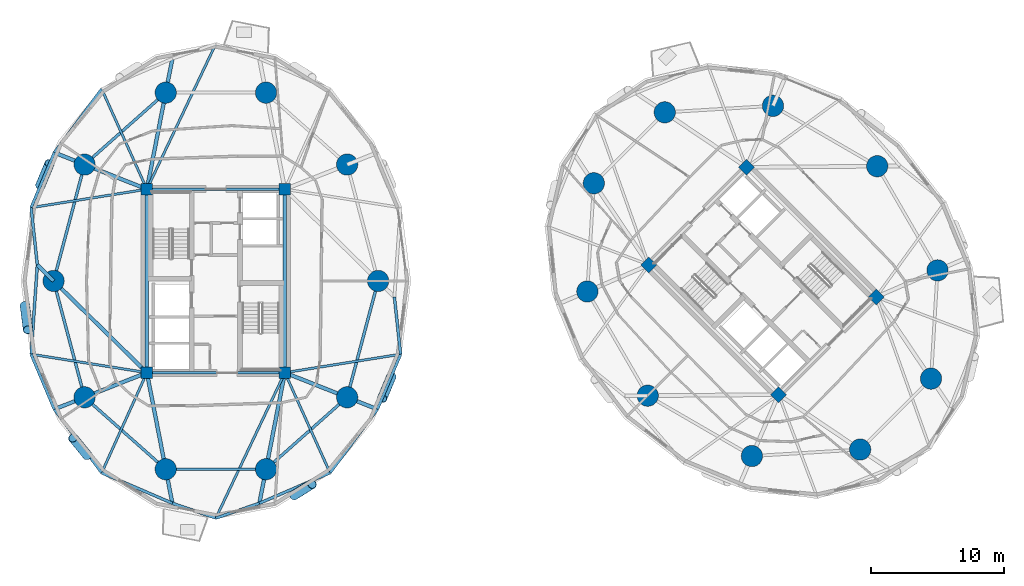
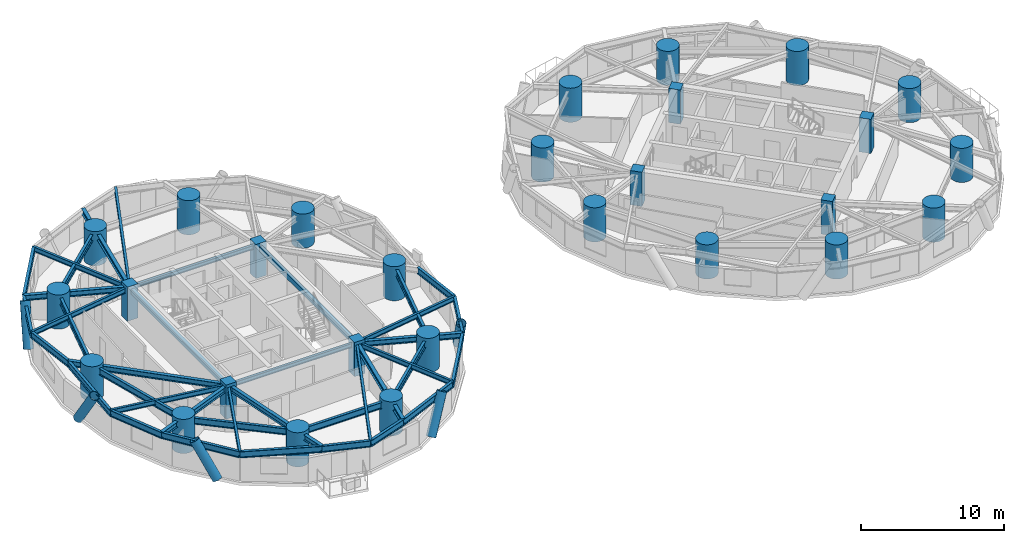
# One storey, part 1 of 15: 40 beams, 28 columns, 5 members.
"""IFC4 building model written with IfcOpenShell, lengths in metres."""

from ifc_helpers import new_model, si_unit, direction, frame, origin, origin_2d, place, context, subcontext, project, spatial, rectangle, hollow_rectangle, circle, hollow_circle, i_section, extrude, material, material_profile, profile_set, type_object, element, save


model = new_model("IFC4")

# Units and contexts
model_context = context("Model", 3, precision=1e-05, world=origin(), true_north=direction((0.0, 1.0)))
body_context = subcontext(model_context, "Body", "Model", "MODEL_VIEW")
ifc_project = project(units=[si_unit("LENGTHUNIT", "METRE"), si_unit("AREAUNIT", "SQUARE_METRE"), si_unit("VOLUMEUNIT", "CUBIC_METRE"), si_unit("PLANEANGLEUNIT", "RADIAN"), si_unit("MASSUNIT", "GRAM", prefix="KILO")], contexts=[model_context])

# Site, building, storey
site_placement = place(None, origin())
site = spatial("IfcSite", under=ifc_project, at=site_placement, CompositionType="ELEMENT")
building_placement = place(site_placement, origin())
building = spatial("IfcBuilding", under=site, at=building_placement, Name="Cununo Teusaquillo Station Towers", CompositionType="ELEMENT")
storey_placement = place(building_placement, frame((0.0, 0.0, 24.909912109375)))
storey = spatial("IfcBuildingStorey", under=building, at=storey_placement, Name="L06", CompositionType="ELEMENT", Elevation=24.909912109375)

# Columns
ifc_material_1 = material(Name="Concrete C50/60", Category="concrete")
ifc_material_profile_1 = material_profile(ifc_material_1, rectangle(XDim=0.85009765625, YDim=0.85009765625, at=origin_2d()), Name="RC-RECT-850x850")
ifc_profile_set_1 = profile_set([ifc_material_profile_1], Name="Concrete C50/60")
column_type_1 = type_object("IfcColumnType", Name="COL-CORE-Z1", PredefinedType="COLUMN", material=ifc_profile_set_1)
for number, where, z_axis, x_axis, name in (
    (1, (11.324951171875, 17.6201171875, 0.0), (0.0, 0.0, 1.0), (1.0, 0.0, 0.0), "L06 Tower A Core Column 1"),
    (2, (11.324951171875, 31.3798828125, 0.0), (0.0, 0.0, 1.0), (1.0, 0.0, 0.0), "L06 Tower A Core Column 2"),
    (3, (21.675048828125, 17.6201171875, 0.0), (0.0, 0.0, 1.0), (1.0, 0.0, 0.0), "L06 Tower A Core Column 3"),
    (4, (21.675048828125, 31.3798828125, 0.0), (0.0, 0.0, 1.0), (1.0, 0.0, 0.0), "L06 Tower A Core Column 4"),
    (5, (58.70556640625, 15.975830078125, 0.0), (0.0, 0.0, 1.0), (0.707106781187, 0.707106781187, 0.0), "L06 Tower B Core Column 1"),
    (6, (48.975830078125, 25.70556640625, 0.0), (0.0, 0.0, 1.0), (0.707106781187, 0.707106781187, 0.0), "L06 Tower B Core Column 2"),
    (7, (66.024169921875, 23.29443359375, 0.0), (0.0, 0.0, 1.0), (0.707106781187, 0.707106781187, 0.0), "L06 Tower B Core Column 3"),
    (8, (56.29443359375, 33.024169921875, 0.0), (0.0, 0.0, 1.0), (0.707106781187, 0.707106781187, 0.0), "L06 Tower B Core Column 4"),
):
    element("IfcColumn", number, at=place(storey_placement, frame(where, z_axis=z_axis, x_axis=x_axis)), inside=storey, type_object=column_type_1, Name=name, PredefinedType="COLUMN", context=body_context, shape_type="SweptSolid", body=[
        extrude(rectangle(XDim=0.85009765625, YDim=0.85009765625, at=origin_2d()), origin(), (0.0, 0.0, 1.0), 2.91015625),
    ])
ifc_material_2 = material(Name="Concrete C60/75", Category="concrete")
ifc_material_profile_2 = material_profile(ifc_material_2, circle(Radius=0.800048828125, at=origin_2d()), Name="RC-CIRC-1600")
ifc_profile_set_2 = profile_set([ifc_material_profile_2], Name="Concrete C60/75")
column_type_2 = type_object("IfcColumnType", Name="COL-MEGA-Z1", PredefinedType="USERDEFINED", material=ifc_profile_set_2)
for number, where, z_axis, x_axis, name in (
    (9, (28.672119140625, 24.5, 0.0), (0.0, 0.0, 1.0), (1.0, 0.0, 0.0), "L06 Tower A Perimeter Column V00"),
    (10, (26.347412109375, 33.228515625, 0.0), (0.0, 0.0, 1.0), (1.0, 0.0, 0.0), "L06 Tower A Perimeter Column V02"),
    (11, (20.261474609375, 38.623291015625, 0.0), (0.0, 0.0, 1.0), (1.0, 0.0, 0.0), "L06 Tower A Perimeter Column V04"),
    (12, (12.738525390625, 38.623291015625, 0.0), (0.0, 0.0, 1.0), (1.0, 0.0, 0.0), "L06 Tower A Perimeter Column V06"),
    (13, (6.652587890625, 33.228515625, 0.0), (0.0, 0.0, 1.0), (1.0, 0.0, 0.0), "L06 Tower A Perimeter Column V08"),
    (14, (4.327880859375, 24.5, 0.0), (0.0, 0.0, 1.0), (1.0, 0.0, 0.0), "L06 Tower A Perimeter Column V10"),
    (15, (6.652587890625, 15.771484375, 0.0), (0.0, 0.0, 1.0), (1.0, 0.0, 0.0), "L06 Tower A Perimeter Column V12"),
    (16, (12.738525390625, 10.376708984375, 0.0), (0.0, 0.0, 1.0), (1.0, 0.0, 0.0), "L06 Tower A Perimeter Column V14"),
    (17, (20.261474609375, 10.376708984375, 0.0), (0.0, 0.0, 1.0), (1.0, 0.0, 0.0), "L06 Tower A Perimeter Column V16"),
    (18, (26.347412109375, 15.771484375, 0.0), (0.0, 0.0, 1.0), (1.0, 0.0, 0.0), "L06 Tower A Perimeter Column V18"),
    (19, (66.10693359375, 33.10693359375, 0.0), (0.0, 0.0, 1.0), (1.0, 0.0, 0.0), "L06 Tower B Perimeter Column V00"),
    (20, (58.291015625, 37.63525390625, 0.0), (0.0, 0.0, 1.0), (1.0, 0.0, 0.0), "L06 Tower B Perimeter Column V02"),
    (21, (50.173095703125, 37.146240234375, 0.0), (0.0, 0.0, 1.0), (1.0, 0.0, 0.0), "L06 Tower B Perimeter Column V04"),
    (22, (44.853759765625, 31.826904296875, 0.0), (0.0, 0.0, 1.0), (1.0, 0.0, 0.0), "L06 Tower B Perimeter Column V06"),
    (23, (44.36474609375, 23.708984375, 0.0), (0.0, 0.0, 1.0), (1.0, 0.0, 0.0), "L06 Tower B Perimeter Column V08"),
    (24, (48.89306640625, 15.89306640625, 0.0), (0.0, 0.0, 1.0), (1.0, 0.0, 0.0), "L06 Tower B Perimeter Column V10"),
    (25, (56.708984375, 11.36474609375, 0.0), (0.0, 0.0, 1.0), (1.0, 0.0, 0.0), "L06 Tower B Perimeter Column V12"),
    (26, (64.826904296875, 11.853759765625, 0.0), (0.0, 0.0, 1.0), (1.0, 0.0, 0.0), "L06 Tower B Perimeter Column V14"),
    (27, (70.146240234375, 17.173095703125, 0.0), (0.0, 0.0, 1.0), (1.0, 0.0, 0.0), "L06 Tower B Perimeter Column V16"),
    (28, (70.63525390625, 25.291015625, 0.0), (0.0, 0.0, 1.0), (1.0, 0.0, 0.0), "L06 Tower B Perimeter Column V18"),
):
    element("IfcColumn", number, at=place(storey_placement, frame(where, z_axis=z_axis, x_axis=x_axis)), inside=storey, type_object=column_type_2, Name=name, ObjectType="MEGA COLUMN", PredefinedType="USERDEFINED", context=body_context, shape_type="SweptSolid", body=[
        extrude(circle(Radius=0.800048828125, at=origin_2d()), origin(), (0.0, 0.0, 1.0), 2.91015625),
    ])

# Beams
ifc_material_3 = material(Name="Steel EN 10025-2 S355J2", Category="steel")
ifc_material_profile_3 = material_profile(ifc_material_3, hollow_rectangle(XDim=0.25, YDim=0.449951171875, WallThickness=0.01611328125, at=origin_2d()), Name="RHS 450x250x16")
ifc_profile_set_3 = profile_set([ifc_material_profile_3], Name="Steel EN 10025-2 S355J2")
beam_type_1 = type_object("IfcBeamType", Name="BM-COUP-1", PredefinedType="USERDEFINED", material=ifc_profile_set_3)
for number, where, z_axis, x_axis, name in (
    (29, (11.324951171875, 17.6201171875, 2.425048828125), (0.0, 1.0, 0.0), (-1.0, 0.0, 0.0), "L06 Tower A Core Beam 1"),
    (30, (21.675048828125, 17.6201171875, 2.425048828125), (0.0, 1.0, 0.0), (-1.0, 0.0, 0.0), "L06 Tower A Core Beam 2"),
):
    element("IfcBeam", number, at=place(storey_placement, frame(where, z_axis=z_axis, x_axis=x_axis)), inside=storey, type_object=beam_type_1, Name=name, ObjectType="COUPLING BEAM", PredefinedType="USERDEFINED", context=body_context, shape_type="SweptSolid", body=[
        extrude(hollow_rectangle(XDim=0.25, YDim=0.449951171875, WallThickness=0.01611328125, at=origin_2d()), origin(), (0.0, 0.0, 1.0), 13.759765625),
    ])
ifc_material_4 = material(Name="Steel ASTM A572 Grade 50", Category="steel")
ifc_material_profile_4 = material_profile(ifc_material_4, i_section(OverallWidth=0.180908203125, OverallDepth=0.4169921875, WebThickness=0.010986328125, FlangeThickness=0.018310546875, FilletRadius=0.012939453125, at=origin_2d()), Name="W16X57")
ifc_profile_set_4 = profile_set([ifc_material_profile_4], Name="Steel ASTM A572 Grade 50")
beam_type_2 = type_object("IfcBeamType", Name="BM-JOIST-1", PredefinedType="JOIST", material=ifc_profile_set_4)
beam_1_placement = place(storey_placement, frame((11.324951171875, 31.3798828125, 2.441650390625), z_axis=(0.428565163203, 0.903510874804, 0.0), x_axis=(-0.903510874804, 0.428565163203, 0.0)))
element("IfcBeam", 31, at=beam_1_placement, inside=storey, type_object=beam_type_2, Name="L06 Tower A Radial Spandrel Joist V05", PredefinedType="JOIST", context=body_context, shape_type="SweptSolid", body=[
    extrude(i_section(OverallWidth=0.180908203125, OverallDepth=0.4169921875, WebThickness=0.010986328125, FlangeThickness=0.018310546875, FilletRadius=0.012939453125, at=origin_2d()), origin(), (0.0, 0.0, 1.0), 12.0751953125),
])
beam_2_placement = place(storey_placement, frame((11.324951171875, 31.3798828125, 2.441650390625), z_axis=(-0.41127716143, 0.911510338113, 0.0), x_axis=(-0.911510338113, -0.41127716143, 0.0)))
element("IfcBeam", 32, at=beam_2_placement, inside=storey, type_object=beam_type_2, Name="L06 Tower A Radial Spandrel Joist V07", PredefinedType="JOIST", context=body_context, shape_type="SweptSolid", body=[
    extrude(i_section(OverallWidth=0.180908203125, OverallDepth=0.4169921875, WebThickness=0.010986328125, FlangeThickness=0.018310546875, FilletRadius=0.012939453125, at=origin_2d()), origin(), (0.0, 0.0, 1.0), 8.24169921875),
])
for number, where, z_axis, x_axis, name in (
    (33, (11.324951171875, 31.3798828125, 2.441650390625), (-0.987559048351, -0.157248612141, 0.0), (0.157248612141, -0.987559048351, 0.0), "L06 Tower A Radial Spandrel Joist V09"),
    (34, (11.324951171875, 17.6201171875, 2.441650390625), (-0.987559048351, 0.157248612141, 0.0), (-0.157248612141, -0.987559048351, 0.0), "L06 Tower A Radial Spandrel Joist V11"),
):
    element("IfcBeam", number, at=place(storey_placement, frame(where, z_axis=z_axis, x_axis=x_axis)), inside=storey, type_object=beam_type_2, Name=name, PredefinedType="JOIST", context=body_context, shape_type="SweptSolid", body=[
        extrude(i_section(OverallWidth=0.180908203125, OverallDepth=0.4169921875, WebThickness=0.010986328125, FlangeThickness=0.018310546875, FilletRadius=0.012939453125, at=origin_2d()), origin(), (0.0, 0.0, 1.0), 8.792236328125),
    ])
beam_3_placement = place(storey_placement, frame((11.324951171875, 17.6201171875, 2.441650390625), z_axis=(-0.41127716143, -0.911510338113, 0.0), x_axis=(0.911510338113, -0.41127716143, 0.0)))
element("IfcBeam", 35, at=beam_3_placement, inside=storey, type_object=beam_type_2, Name="L06 Tower A Radial Spandrel Joist V13", PredefinedType="JOIST", context=body_context, shape_type="SweptSolid", body=[
    extrude(i_section(OverallWidth=0.180908203125, OverallDepth=0.4169921875, WebThickness=0.010986328125, FlangeThickness=0.018310546875, FilletRadius=0.012939453125, at=origin_2d()), origin(), (0.0, 0.0, 1.0), 8.24169921875),
])
beam_4_placement = place(storey_placement, frame((21.675048828125, 17.6201171875, 2.441650390625), z_axis=(-0.428565163203, -0.903510874804, 0.0), x_axis=(0.903510874804, -0.428565163203, 0.0)))
element("IfcBeam", 36, at=beam_4_placement, inside=storey, type_object=beam_type_2, Name="L06 Tower A Radial Spandrel Joist V15", PredefinedType="JOIST", context=body_context, shape_type="SweptSolid", body=[
    extrude(i_section(OverallWidth=0.180908203125, OverallDepth=0.4169921875, WebThickness=0.010986328125, FlangeThickness=0.018310546875, FilletRadius=0.012939453125, at=origin_2d()), origin(), (0.0, 0.0, 1.0), 12.0751953125),
])
beam_5_placement = place(storey_placement, frame((21.675048828125, 17.6201171875, 2.441650390625), z_axis=(0.41127716143, -0.911510338113, 0.0), x_axis=(0.911510338113, 0.41127716143, 0.0)))
element("IfcBeam", 37, at=beam_5_placement, inside=storey, type_object=beam_type_2, Name="L06 Tower A Radial Spandrel Joist V17", PredefinedType="JOIST", context=body_context, shape_type="SweptSolid", body=[
    extrude(i_section(OverallWidth=0.180908203125, OverallDepth=0.4169921875, WebThickness=0.010986328125, FlangeThickness=0.018310546875, FilletRadius=0.012939453125, at=origin_2d()), origin(), (0.0, 0.0, 1.0), 8.24169921875),
])
beam_6_placement = place(storey_placement, frame((21.675048828125, 17.6201171875, 2.441650390625), z_axis=(0.987559048351, 0.157248612141, 0.0), x_axis=(-0.157248612141, 0.987559048351, 0.0)))
element("IfcBeam", 38, at=beam_6_placement, inside=storey, type_object=beam_type_2, Name="L06 Tower A Radial Spandrel Joist V19", PredefinedType="JOIST", context=body_context, shape_type="SweptSolid", body=[
    extrude(i_section(OverallWidth=0.180908203125, OverallDepth=0.4169921875, WebThickness=0.010986328125, FlangeThickness=0.018310546875, FilletRadius=0.012939453125, at=origin_2d()), origin(), (0.0, 0.0, 1.0), 8.792236328125),
])
ifc_material_5 = material(Name="Steel ASTM A572 Grade 50", Category="steel")
ifc_material_profile_5 = material_profile(ifc_material_5, i_section(OverallWidth=0.2041015625, OverallDepth=0.35009765625, WebThickness=0.008544921875, FlangeThickness=0.01513671875, FilletRadius=0.011962890625, at=origin_2d()), Name="W14X48")
ifc_profile_set_5 = profile_set([ifc_material_profile_5], Name="Steel ASTM A572 Grade 50")
beam_type_3 = type_object("IfcBeamType", Name="BM-LINTEL-1", PredefinedType="LINTEL", material=ifc_profile_set_5)
for number, where, z_axis, x_axis, name in (
    (39, (11.324951171875, 17.6201171875, 2.47509765625), (1.0, 0.0, 0.0), (0.0, 1.0, 0.0), "L06 Tower A Core Beam 3"),
    (40, (11.324951171875, 31.3798828125, 2.47509765625), (1.0, 0.0, 0.0), (0.0, 1.0, 0.0), "L06 Tower A Core Beam 4"),
):
    element("IfcBeam", number, at=place(storey_placement, frame(where, z_axis=z_axis, x_axis=x_axis)), inside=storey, type_object=beam_type_3, Name=name, PredefinedType="LINTEL", context=body_context, shape_type="SweptSolid", body=[
        extrude(i_section(OverallWidth=0.2041015625, OverallDepth=0.35009765625, WebThickness=0.008544921875, FlangeThickness=0.01513671875, FilletRadius=0.011962890625, at=origin_2d()), origin(), (0.0, 0.0, 1.0), 10.35009765625),
    ])
ifc_material_6 = material(Name="Steel ASTM A572 Grade 50", Category="steel")
ifc_material_profile_6 = material_profile(ifc_material_6, i_section(OverallWidth=0.280029296875, OverallDepth=0.462890625, WebThickness=0.0107421875, FlangeThickness=0.017333984375, FilletRadius=0.013916015625, at=origin_2d()), Name="W18X76")
ifc_profile_set_6 = profile_set([ifc_material_profile_6], Name="Steel ASTM A572 Grade 50")
beam_type_4 = type_object("IfcBeamType", Name="BM-RAD-G1", PredefinedType="BEAM", material=ifc_profile_set_6)
beam_7_placement = place(storey_placement, frame((11.324951171875, 31.3798828125, 2.418701171875), z_axis=(0.191551733899, 0.981482518051, 0.0), x_axis=(-0.981482518051, 0.191551733899, 0.0)))
element("IfcBeam", 41, at=beam_7_placement, inside=storey, type_object=beam_type_4, Name="L06 Tower A Continuous Overhanging Radial Girder 04", PredefinedType="BEAM", context=body_context, shape_type="SweptSolid", body=[
    extrude(i_section(OverallWidth=0.280029296875, OverallDepth=0.462890625, WebThickness=0.0107421875, FlangeThickness=0.017333984375, FilletRadius=0.013916015625, at=origin_2d()), origin(), (0.0, 0.0, 1.0), 9.982177734375),
])
beam_8_placement = place(storey_placement, frame((11.324951171875, 31.3798828125, 2.418701171875), z_axis=(-0.929859530412, 0.367914737, 0.0), x_axis=(-0.367914737, -0.929859530412, 0.0)))
element("IfcBeam", 42, at=beam_8_placement, inside=storey, type_object=beam_type_4, Name="L06 Tower A Continuous Overhanging Radial Girder 05", PredefinedType="BEAM", context=body_context, shape_type="SweptSolid", body=[
    extrude(i_section(OverallWidth=0.280029296875, OverallDepth=0.462890625, WebThickness=0.0107421875, FlangeThickness=0.017333984375, FilletRadius=0.013916015625, at=origin_2d()), origin(), (0.0, 0.0, 1.0), 7.46533203125),
])
beam_9_placement = place(storey_placement, frame((11.324951171875, 17.6201171875, 2.418701171875), z_axis=(-0.713052701438, 0.701110437073, 0.0), x_axis=(-0.701110437073, -0.713052701438, 0.0)))
element("IfcBeam", 43, at=beam_9_placement, inside=storey, type_object=beam_type_4, Name="L06 Tower A Radial Girder 06A", PredefinedType="BEAM", context=body_context, shape_type="SweptSolid", body=[
    extrude(i_section(OverallWidth=0.280029296875, OverallDepth=0.462890625, WebThickness=0.0107421875, FlangeThickness=0.017333984375, FilletRadius=0.013916015625, at=origin_2d()), origin(), (0.0, 0.0, 1.0), 9.812744140625),
])
beam_10_placement = place(storey_placement, frame((4.327880859375, 24.5, 2.418701171875), z_axis=(-0.713076004542, 0.701086736251, 0.0), x_axis=(-0.701086736251, -0.713076004542, 0.0)))
element("IfcBeam", 44, at=beam_10_placement, inside=storey, type_object=beam_type_4, Name="L06 Tower A Perimeter Overhang Girder 06B", PredefinedType="BEAM", context=body_context, shape_type="SweptSolid", body=[
    extrude(i_section(OverallWidth=0.280029296875, OverallDepth=0.462890625, WebThickness=0.0107421875, FlangeThickness=0.017333984375, FilletRadius=0.013916015625, at=origin_2d()), origin(), (0.0, 0.0, 1.0), 1.71044921875),
])
beam_11_placement = place(storey_placement, frame((11.324951171875, 17.6201171875, 2.418701171875), z_axis=(-0.929859530412, -0.367914737, 0.0), x_axis=(0.367914737, -0.929859530412, 0.0)))
element("IfcBeam", 45, at=beam_11_placement, inside=storey, type_object=beam_type_4, Name="L06 Tower A Continuous Overhanging Radial Girder 07", PredefinedType="BEAM", context=body_context, shape_type="SweptSolid", body=[
    extrude(i_section(OverallWidth=0.280029296875, OverallDepth=0.462890625, WebThickness=0.0107421875, FlangeThickness=0.017333984375, FilletRadius=0.013916015625, at=origin_2d()), origin(), (0.0, 0.0, 1.0), 7.46533203125),
])
for number, where, z_axis, x_axis, name in (
    (46, (11.324951171875, 17.6201171875, 2.418701171875), (0.191551733899, -0.981482518051, 0.0), (0.981482518051, 0.191551733899, 0.0), "L06 Tower A Continuous Overhanging Radial Girder 08"),
    (47, (21.675048828125, 17.6201171875, 2.418701171875), (-0.191551733899, -0.981482518051, 0.0), (0.981482518051, -0.191551733899, 0.0), "L06 Tower A Continuous Overhanging Radial Girder 09"),
):
    element("IfcBeam", number, at=place(storey_placement, frame(where, z_axis=z_axis, x_axis=x_axis)), inside=storey, type_object=beam_type_4, Name=name, PredefinedType="BEAM", context=body_context, shape_type="SweptSolid", body=[
        extrude(i_section(OverallWidth=0.280029296875, OverallDepth=0.462890625, WebThickness=0.0107421875, FlangeThickness=0.017333984375, FilletRadius=0.013916015625, at=origin_2d()), origin(), (0.0, 0.0, 1.0), 9.982177734375),
    ])
beam_12_placement = place(storey_placement, frame((21.675048828125, 17.6201171875, 2.418701171875), z_axis=(0.929859530412, -0.367914737, 0.0), x_axis=(0.367914737, 0.929859530412, 0.0)))
element("IfcBeam", 48, at=beam_12_placement, inside=storey, type_object=beam_type_4, Name="L06 Tower A Continuous Overhanging Radial Girder 10", PredefinedType="BEAM", context=body_context, shape_type="SweptSolid", body=[
    extrude(i_section(OverallWidth=0.280029296875, OverallDepth=0.462890625, WebThickness=0.0107421875, FlangeThickness=0.017333984375, FilletRadius=0.013916015625, at=origin_2d()), origin(), (0.0, 0.0, 1.0), 7.46533203125),
])
ifc_material_7 = material(Name="Steel ASTM A572 Grade 50", Category="steel")
ifc_material_profile_7 = material_profile(ifc_material_7, i_section(OverallWidth=0.214111328125, OverallDepth=0.549072265625, WebThickness=0.0146484375, FlangeThickness=0.023681640625, FilletRadius=0.014892578125, at=origin_2d()), Name="W21X93")
ifc_profile_set_7 = profile_set([ifc_material_profile_7], Name="Steel ASTM A572 Grade 50")
beam_type_5 = type_object("IfcBeamType", Name="BM-RING-Z1", PredefinedType="SPANDREL", material=ifc_profile_set_7)
beam_13_placement = place(storey_placement, frame((12.738525390625, 38.623291015625, 2.37548828125), z_axis=(-0.74832120039, -0.66333655187, 0.0), x_axis=(0.66333655187, -0.74832120039, 0.0)))
element("IfcBeam", 49, at=beam_13_placement, inside=storey, type_object=beam_type_5, Name="L06 Tower A Structural Column Ring Girder 04", PredefinedType="SPANDREL", context=body_context, shape_type="SweptSolid", body=[
    extrude(i_section(OverallWidth=0.214111328125, OverallDepth=0.549072265625, WebThickness=0.0146484375, FlangeThickness=0.023681640625, FilletRadius=0.014892578125, at=origin_2d()), origin(), (0.0, 0.0, 1.0), 8.1328125),
])
for number, where, z_axis, x_axis, name in (
    (50, (6.652587890625, 33.228515625, 2.37548828125), (-0.257363196347, -0.966314744359, 0.0), (0.966314744359, -0.257363196347, 0.0), "L06 Tower A Structural Column Ring Girder 05"),
    (51, (4.327880859375, 24.5, 2.37548828125), (0.257363196347, -0.966314744359, 0.0), (0.966314744359, 0.257363196347, 0.0), "L06 Tower A Structural Column Ring Girder 06"),
):
    element("IfcBeam", number, at=place(storey_placement, frame(where, z_axis=z_axis, x_axis=x_axis)), inside=storey, type_object=beam_type_5, Name=name, PredefinedType="SPANDREL", context=body_context, shape_type="SweptSolid", body=[
        extrude(i_section(OverallWidth=0.214111328125, OverallDepth=0.549072265625, WebThickness=0.0146484375, FlangeThickness=0.023681640625, FilletRadius=0.014892578125, at=origin_2d()), origin(), (0.0, 0.0, 1.0), 9.03271484375),
    ])
beam_14_placement = place(storey_placement, frame((6.652587890625, 15.771484375, 2.37548828125), z_axis=(0.74832120039, -0.66333655187, 0.0), x_axis=(0.66333655187, 0.74832120039, 0.0)))
element("IfcBeam", 52, at=beam_14_placement, inside=storey, type_object=beam_type_5, Name="L06 Tower A Structural Column Ring Girder 07", PredefinedType="SPANDREL", context=body_context, shape_type="SweptSolid", body=[
    extrude(i_section(OverallWidth=0.214111328125, OverallDepth=0.549072265625, WebThickness=0.0146484375, FlangeThickness=0.023681640625, FilletRadius=0.014892578125, at=origin_2d()), origin(), (0.0, 0.0, 1.0), 8.1328125),
])
beam_15_placement = place(storey_placement, frame((12.738525390625, 10.376708984375, 2.37548828125), z_axis=(1.0, 0.0, 0.0), x_axis=(0.0, 1.0, 0.0)))
element("IfcBeam", 53, at=beam_15_placement, inside=storey, type_object=beam_type_5, Name="L06 Tower A Structural Column Ring Girder 08", PredefinedType="SPANDREL", context=body_context, shape_type="SweptSolid", body=[
    extrude(i_section(OverallWidth=0.214111328125, OverallDepth=0.549072265625, WebThickness=0.0146484375, FlangeThickness=0.023681640625, FilletRadius=0.014892578125, at=origin_2d()), origin(), (0.0, 0.0, 1.0), 7.52294921875),
])
beam_16_placement = place(storey_placement, frame((20.261474609375, 10.376708984375, 2.37548828125), z_axis=(0.74832120039, 0.66333655187, 0.0), x_axis=(-0.66333655187, 0.74832120039, 0.0)))
element("IfcBeam", 54, at=beam_16_placement, inside=storey, type_object=beam_type_5, Name="L06 Tower A Structural Column Ring Girder 09", PredefinedType="SPANDREL", context=body_context, shape_type="SweptSolid", body=[
    extrude(i_section(OverallWidth=0.214111328125, OverallDepth=0.549072265625, WebThickness=0.0146484375, FlangeThickness=0.023681640625, FilletRadius=0.014892578125, at=origin_2d()), origin(), (0.0, 0.0, 1.0), 8.1328125),
])
beam_17_placement = place(storey_placement, frame((26.347412109375, 15.771484375, 2.37548828125), z_axis=(0.257363196347, 0.966314744359, 0.0), x_axis=(-0.966314744359, 0.257363196347, 0.0)))
element("IfcBeam", 55, at=beam_17_placement, inside=storey, type_object=beam_type_5, Name="L06 Tower A Structural Column Ring Girder 10", PredefinedType="SPANDREL", context=body_context, shape_type="SweptSolid", body=[
    extrude(i_section(OverallWidth=0.214111328125, OverallDepth=0.549072265625, WebThickness=0.0146484375, FlangeThickness=0.023681640625, FilletRadius=0.014892578125, at=origin_2d()), origin(), (0.0, 0.0, 1.0), 9.03271484375),
])
beam_18_placement = place(storey_placement, frame((7.935302734375, 38.892333984375, 2.37548828125), z_axis=(-0.597585408829, -0.801805262613, 0.0), x_axis=(0.801805262613, -0.597585408829, 0.0)))
element("IfcBeam", 56, at=beam_18_placement, inside=storey, type_object=beam_type_5, Name="L06 Tower A Spandrel Ring Beam 08", PredefinedType="SPANDREL", context=body_context, shape_type="SweptSolid", body=[
    extrude(i_section(OverallWidth=0.214111328125, OverallDepth=0.549072265625, WebThickness=0.0146484375, FlangeThickness=0.023681640625, FilletRadius=0.014892578125, at=origin_2d()), origin(), (0.0, 0.0, 1.0), 5.94384765625),
])
beam_19_placement = place(storey_placement, frame((4.38330078125, 34.12646484375, 2.37548828125), z_axis=(-0.388553804392, -0.921426036691, 0.0), x_axis=(0.921426036691, -0.388553804392, 0.0)))
element("IfcBeam", 57, at=beam_19_placement, inside=storey, type_object=beam_type_5, Name="L06 Tower A Spandrel Ring Beam 09", PredefinedType="SPANDREL", context=body_context, shape_type="SweptSolid", body=[
    extrude(i_section(OverallWidth=0.214111328125, OverallDepth=0.549072265625, WebThickness=0.0146484375, FlangeThickness=0.023681640625, FilletRadius=0.014892578125, at=origin_2d()), origin(), (0.0, 0.0, 1.0), 4.481201171875),
])
beam_20_placement = place(storey_placement, frame((2.64208984375, 29.997314453125, 2.37548828125), z_axis=(0.107803171724, -0.994172256788, 0.0), x_axis=(0.994172256788, 0.107803171724, 0.0)))
element("IfcBeam", 58, at=beam_20_placement, inside=storey, type_object=beam_type_5, Name="L06 Tower A Spandrel Ring Beam 10", PredefinedType="SPANDREL", context=body_context, shape_type="SweptSolid", body=[
    extrude(i_section(OverallWidth=0.214111328125, OverallDepth=0.549072265625, WebThickness=0.0146484375, FlangeThickness=0.023681640625, FilletRadius=0.014892578125, at=origin_2d()), origin(), (0.0, 0.0, 1.0), 4.3232421875),
])
beam_21_placement = place(storey_placement, frame((3.108154296875, 25.69921875, 2.37548828125), z_axis=(-0.069429919473, -0.99758683145, 0.0), x_axis=(0.99758683145, -0.069429919473, 0.0)))
element("IfcBeam", 59, at=beam_21_placement, inside=storey, type_object=beam_type_5, Name="L06 Tower A Spandrel Ring Beam 11", PredefinedType="SPANDREL", context=body_context, shape_type="SweptSolid", body=[
    extrude(i_section(OverallWidth=0.214111328125, OverallDepth=0.549072265625, WebThickness=0.0146484375, FlangeThickness=0.023681640625, FilletRadius=0.014892578125, at=origin_2d()), origin(), (0.0, 0.0, 1.0), 6.712646484375),
])
beam_22_placement = place(storey_placement, frame((2.64208984375, 19.002685546875, 2.37548828125), z_axis=(0.388553804392, -0.921426036691, 0.0), x_axis=(0.921426036691, 0.388553804392, 0.0)))
element("IfcBeam", 60, at=beam_22_placement, inside=storey, type_object=beam_type_5, Name="L06 Tower A Spandrel Ring Beam 12", PredefinedType="SPANDREL", context=body_context, shape_type="SweptSolid", body=[
    extrude(i_section(OverallWidth=0.214111328125, OverallDepth=0.549072265625, WebThickness=0.0146484375, FlangeThickness=0.023681640625, FilletRadius=0.014892578125, at=origin_2d()), origin(), (0.0, 0.0, 1.0), 4.481201171875),
])
beam_23_placement = place(storey_placement, frame((4.38330078125, 14.87353515625, 2.37548828125), z_axis=(0.597585408829, -0.801805262613, 0.0), x_axis=(0.801805262613, 0.597585408829, 0.0)))
element("IfcBeam", 61, at=beam_23_placement, inside=storey, type_object=beam_type_5, Name="L06 Tower A Spandrel Ring Beam 13", PredefinedType="SPANDREL", context=body_context, shape_type="SweptSolid", body=[
    extrude(i_section(OverallWidth=0.214111328125, OverallDepth=0.549072265625, WebThickness=0.0146484375, FlangeThickness=0.023681640625, FilletRadius=0.014892578125, at=origin_2d()), origin(), (0.0, 0.0, 1.0), 5.94384765625),
])
beam_24_placement = place(storey_placement, frame((7.935302734375, 10.107666015625, 2.37548828125), z_axis=(0.91834475778, -0.395781386446, 0.0), x_axis=(0.395781386446, 0.91834475778, 0.0)))
element("IfcBeam", 62, at=beam_24_placement, inside=storey, type_object=beam_type_5, Name="L06 Tower A Spandrel Ring Beam 14", PredefinedType="SPANDREL", context=body_context, shape_type="SweptSolid", body=[
    extrude(i_section(OverallWidth=0.214111328125, OverallDepth=0.549072265625, WebThickness=0.0146484375, FlangeThickness=0.023681640625, FilletRadius=0.014892578125, at=origin_2d()), origin(), (0.0, 0.0, 1.0), 5.773193359375),
])
for number, where, z_axis, x_axis, name in (
    (63, (13.237060546875, 7.82275390625, 2.37548828125), (0.946472331641, -0.32278495231, 0.0), (0.32278495231, 0.946472331641, 0.0), "L06 Tower A Spandrel Ring Beam 15"),
    (64, (16.5, 6.7099609375, 2.37548828125), (0.946472331641, 0.32278495231, 0.0), (-0.32278495231, 0.946472331641, 0.0), "L06 Tower A Spandrel Ring Beam 16"),
):
    element("IfcBeam", number, at=place(storey_placement, frame(where, z_axis=z_axis, x_axis=x_axis)), inside=storey, type_object=beam_type_5, Name=name, PredefinedType="SPANDREL", context=body_context, shape_type="SweptSolid", body=[
        extrude(i_section(OverallWidth=0.214111328125, OverallDepth=0.549072265625, WebThickness=0.0146484375, FlangeThickness=0.023681640625, FilletRadius=0.014892578125, at=origin_2d()), origin(), (0.0, 0.0, 1.0), 3.447509765625),
    ])
beam_25_placement = place(storey_placement, frame((19.762939453125, 7.82275390625, 2.37548828125), z_axis=(0.91834475778, 0.395781386446, 0.0), x_axis=(-0.395781386446, 0.91834475778, 0.0)))
element("IfcBeam", 65, at=beam_25_placement, inside=storey, type_object=beam_type_5, Name="L06 Tower A Spandrel Ring Beam 17", PredefinedType="SPANDREL", context=body_context, shape_type="SweptSolid", body=[
    extrude(i_section(OverallWidth=0.214111328125, OverallDepth=0.549072265625, WebThickness=0.0146484375, FlangeThickness=0.023681640625, FilletRadius=0.014892578125, at=origin_2d()), origin(), (0.0, 0.0, 1.0), 5.773193359375),
])
beam_26_placement = place(storey_placement, frame((25.064697265625, 10.107666015625, 2.37548828125), z_axis=(0.597585408829, 0.801805262613, 0.0), x_axis=(-0.801805262613, 0.597585408829, 0.0)))
element("IfcBeam", 66, at=beam_26_placement, inside=storey, type_object=beam_type_5, Name="L06 Tower A Spandrel Ring Beam 18", PredefinedType="SPANDREL", context=body_context, shape_type="SweptSolid", body=[
    extrude(i_section(OverallWidth=0.214111328125, OverallDepth=0.549072265625, WebThickness=0.0146484375, FlangeThickness=0.023681640625, FilletRadius=0.014892578125, at=origin_2d()), origin(), (0.0, 0.0, 1.0), 5.94384765625),
])
beam_27_placement = place(storey_placement, frame((28.61669921875, 14.87353515625, 2.37548828125), z_axis=(0.388553804392, 0.921426036691, 0.0), x_axis=(-0.921426036691, 0.388553804392, 0.0)))
element("IfcBeam", 67, at=beam_27_placement, inside=storey, type_object=beam_type_5, Name="L06 Tower A Spandrel Ring Beam 19", PredefinedType="SPANDREL", context=body_context, shape_type="SweptSolid", body=[
    extrude(i_section(OverallWidth=0.214111328125, OverallDepth=0.549072265625, WebThickness=0.0146484375, FlangeThickness=0.023681640625, FilletRadius=0.014892578125, at=origin_2d()), origin(), (0.0, 0.0, 1.0), 4.481201171875),
])
beam_28_placement = place(storey_placement, frame((30.35791015625, 19.002685546875, 2.37548828125), z_axis=(-0.107803171724, 0.994172256788, 0.0), x_axis=(-0.994172256788, -0.107803171724, 0.0)))
element("IfcBeam", 68, at=beam_28_placement, inside=storey, type_object=beam_type_5, Name="L06 Tower A Spandrel Ring Beam 20", PredefinedType="SPANDREL", context=body_context, shape_type="SweptSolid", body=[
    extrude(i_section(OverallWidth=0.214111328125, OverallDepth=0.549072265625, WebThickness=0.0146484375, FlangeThickness=0.023681640625, FilletRadius=0.014892578125, at=origin_2d()), origin(), (0.0, 0.0, 1.0), 4.3232421875),
])

# Members
ifc_material_8 = material(Name="Steel EN 10025-2 S355J2", Category="steel")
ifc_material_profile_8 = material_profile(ifc_material_8, hollow_circle(Radius=0.360107421875, WallThickness=0.028076171875, at=origin_2d()), Name="CHS 720x28")
ifc_profile_set_8 = profile_set([ifc_material_profile_8], Name="Steel EN 10025-2 S355J2")
member_type = type_object("IfcMemberType", Name="MBR-DIAG-Z1", PredefinedType="BRACE", material=ifc_profile_set_8)
member_1_placement = place(storey_placement, frame((3.33203125, 31.650390625, -0.139892578125), z_axis=(0.201904111113, 0.483826836681, 0.851555237212), x_axis=(-0.922867129174, 0.385118503698, 0.0)))
element("IfcMember", 69, at=member_1_placement, inside=storey, type_object=member_type, Name="L06 Tower A Folded-Zigzag Diagrid Tube C08", PredefinedType="BRACE", context=body_context, shape_type="SweptSolid", body=[
    extrude(hollow_circle(Radius=0.360107421875, WallThickness=0.028076171875, at=origin_2d()), origin(), (0.0, 0.0, 1.0), 3.417236328125),
])
member_2_placement = place(storey_placement, frame((2.166748046875, 22.66748046875, -0.139892578125), z_axis=(0.06898676847, -0.5315664244, 0.84420255995), x_axis=(0.991683466377, 0.128700825616, 0.0)))
element("IfcMember", 70, at=member_2_placement, inside=storey, type_object=member_type, Name="L06 Tower A Folded-Zigzag Diagrid Tube C10", PredefinedType="BRACE", context=body_context, shape_type="SweptSolid", body=[
    extrude(hollow_circle(Radius=0.360107421875, WallThickness=0.028076171875, at=origin_2d()), origin(), (0.0, 0.0, 1.0), 3.447021484375),
])
member_3_placement = place(storey_placement, frame((6.86083984375, 11.41943359375, -0.139892578125), z_axis=(-0.319020911354, 0.38955200582, 0.863987785145), x_axis=(-0.773668575853, -0.633590510296, 0.0)))
element("IfcMember", 71, at=member_3_placement, inside=storey, type_object=member_type, Name="L06 Tower A Folded-Zigzag Diagrid Tube C12", PredefinedType="BRACE", context=body_context, shape_type="SweptSolid", body=[
    extrude(hollow_circle(Radius=0.360107421875, WallThickness=0.028076171875, at=origin_2d()), origin(), (0.0, 0.0, 1.0), 3.367919921875),
])
member_4_placement = place(storey_placement, frame((22.356689453125, 8.423095703125, -0.139892578125), z_axis=(0.408055438653, 0.253839030536, 0.876958668104), x_axis=(-0.528208680412, 0.849114591758, 0.0)))
element("IfcMember", 72, at=member_4_placement, inside=storey, type_object=member_type, Name="L06 Tower A Folded-Zigzag Diagrid Tube C16", PredefinedType="BRACE", context=body_context, shape_type="SweptSolid", body=[
    extrude(hollow_circle(Radius=0.360107421875, WallThickness=0.028076171875, at=origin_2d()), origin(), (0.0, 0.0, 1.0), 3.318115234375),
])
member_5_placement = place(storey_placement, frame((29.66796875, 17.349609375, -0.139892578125), z_axis=(-0.201904111113, -0.483826836681, 0.851555237212), x_axis=(0.922867129174, -0.385118503698, 0.0)))
element("IfcMember", 73, at=member_5_placement, inside=storey, type_object=member_type, Name="L06 Tower A Folded-Zigzag Diagrid Tube C18", PredefinedType="BRACE", context=body_context, shape_type="SweptSolid", body=[
    extrude(hollow_circle(Radius=0.360107421875, WallThickness=0.028076171875, at=origin_2d()), origin(), (0.0, 0.0, 1.0), 3.417236328125),
])

save(model, "model.ifc")
